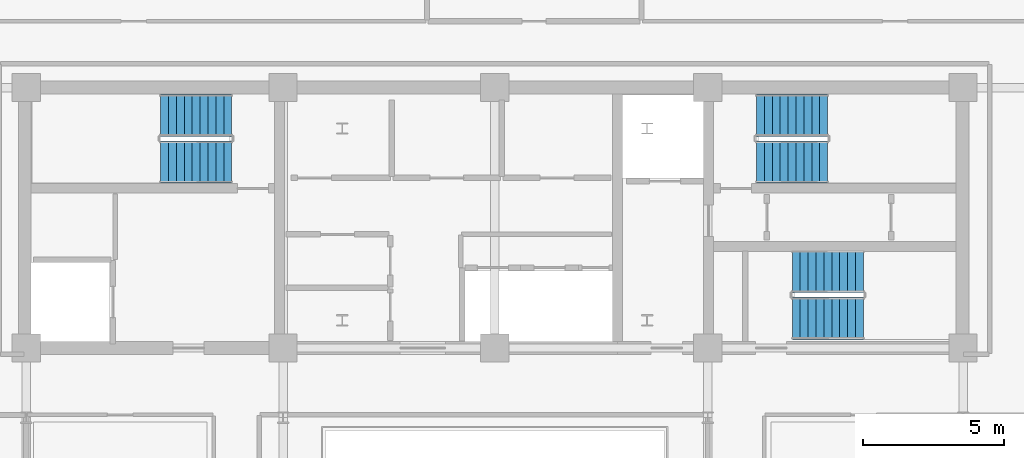
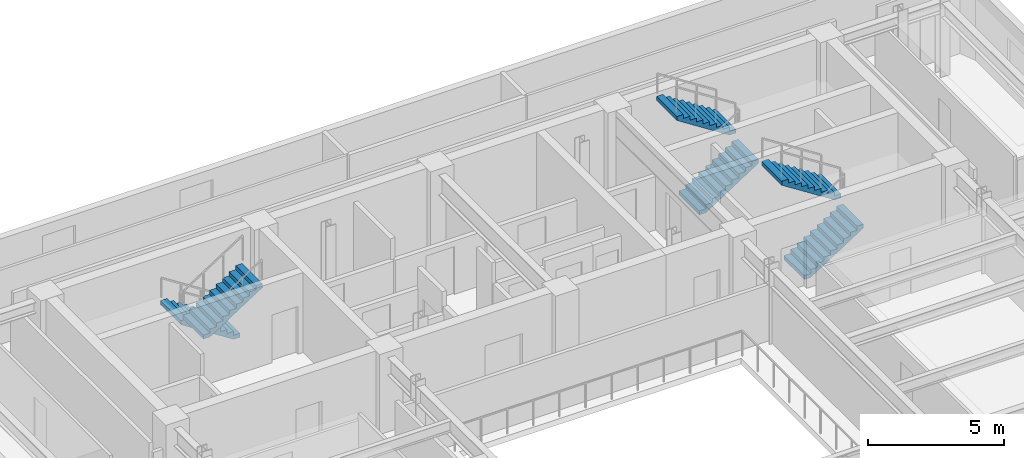
# One storey, part 10 of 14: 6 stair flights, 3 elements without a shape of their own.
"""IFC4 building model written with IfcOpenShell, lengths in metres."""

import ifcopenshell
import ifcopenshell.guid

model = None  # the IFC model being written
_history = None  # IfcOwnerHistory: only IFC2X3 demands one
_inside = {}  # id of a spatial element -> (the spatial element, [elements in it])
_under = {}  # id of a project, library or spatial element -> (it, [spatial elements below it])
_declared = {}  # id of a project -> (the project, [libraries it declares])
_typed = {}  # id of a type object -> (the type object, [elements of that type])
_made_of = {}  # id of a material, layer set ... -> (it, [elements and type objects made of it])


def new_model(schema):
    """Start an empty IFC model of exactly this schema.

    Asked for "IFC4X3", IfcOpenShell would pick the latest addendum, in which some entities
    have other attributes; the version numbers below select the first issue.
    IFC2X3 requires an IfcOwnerHistory on every rooted entity: one is made here for all.
    """
    global model, _history
    if schema == "IFC4X3":
        model = ifcopenshell.file(schema_version=(4, 3, 0, 0))
    else:
        model = ifcopenshell.file(schema=schema)
    _inside.clear()
    _under.clear()
    _declared.clear()
    _typed.clear()
    _made_of.clear()
    _history = None
    if model.schema == "IFC2X3":
        org = make("IfcOrganization", Name="unknown")
        user = make(
            "IfcPersonAndOrganization",
            ThePerson=make("IfcPerson", FamilyName="unknown"),
            TheOrganization=org,
        )
        app = make(
            "IfcApplication",
            ApplicationDeveloper=org,
            Version="unknown",
            ApplicationFullName="unknown",
            ApplicationIdentifier="unknown",
        )
        _history = make(
            "IfcOwnerHistory",
            OwningUser=user,
            OwningApplication=app,
            ChangeAction="ADDED",
            CreationDate=0,
        )
    return model


def make(cls, **values):
    """One entity of the class cls with the attributes given. An attribute that is None is left unset."""
    return model.create_entity(
        cls, **{name: value for name, value in values.items() if value is not None}
    )


def rooted(cls, **values):
    """An entity with a GlobalId (a new one), such as an element, a storey or a relation."""
    return make(cls, GlobalId=ifcopenshell.guid.new(), OwnerHistory=_history, **values)


def si_unit(unit_type, name, prefix=None):
    """IfcSIUnit, for example si_unit("LENGTHUNIT", "METRE", prefix="MILLI")."""
    return make("IfcSIUnit", UnitType=unit_type, Prefix=prefix, Name=name)


def assignment(units):
    """IfcUnitAssignment: the units of a project."""
    return None if units is None else make("IfcUnitAssignment", Units=units)


def point(xyz):
    """IfcCartesianPoint."""
    return None if xyz is None else make("IfcCartesianPoint", Coordinates=xyz)


def direction(xyz):
    """IfcDirection."""
    return None if xyz is None else make("IfcDirection", DirectionRatios=xyz)


def frame(location, z_axis=None, x_axis=None):
    """IfcAxis2Placement3D, a coordinate frame: its origin and axes. An axis left out is left unset."""
    return make(
        "IfcAxis2Placement3D",
        Location=point(location),
        Axis=direction(z_axis),
        RefDirection=direction(x_axis),
    )


def origin():
    """The frame at (0, 0, 0) with its axes left unset."""
    return frame((0.0, 0.0, 0.0))


def place(relative_to, where):
    """IfcLocalPlacement: puts the frame where relative to a parent placement (None: the world)."""
    return make(
        "IfcLocalPlacement", PlacementRelTo=relative_to, RelativePlacement=where
    )


def context(
    kind, dimensions, precision=None, world=None, true_north=None, identifier=None
):
    """IfcGeometricRepresentationContext, for example the 3D "Model" context."""
    return make(
        "IfcGeometricRepresentationContext",
        ContextIdentifier=identifier,
        ContextType=kind,
        CoordinateSpaceDimension=dimensions,
        Precision=precision,
        WorldCoordinateSystem=world,
        TrueNorth=true_north,
    )


def subcontext(parent, identifier, kind, view, scale=None):
    """IfcGeometricRepresentationSubContext, for example "Body" below "Model"."""
    return make(
        "IfcGeometricRepresentationSubContext",
        ContextIdentifier=identifier,
        ContextType=kind,
        ParentContext=parent,
        TargetScale=scale,
        TargetView=view,
    )


def project(units=None, contexts=None):
    """IfcProject with its units and contexts."""
    return rooted(
        "IfcProject",
        Name="project",
        RepresentationContexts=contexts,
        UnitsInContext=assignment(units),
    )


def spatial(cls, under=None, at=None, **own):
    """A site, building, storey or space (cls), placed at a placement, below another one or the project."""
    s = rooted(cls, ObjectPlacement=at, **own)
    if under is not None:
        _under.setdefault(under.id(), (under, []))[1].append(s)
    return s


def polyline(points):
    """IfcPolyline through the points."""
    return make("IfcPolyline", Points=[point(p) for p in points])


def outline(outer, holes=None, kind="AREA"):
    """IfcArbitraryClosedProfileDef: a profile drawn as a closed curve; with holes, ...WithVoids."""
    if holes is None:
        return make("IfcArbitraryClosedProfileDef", ProfileType=kind, OuterCurve=outer)
    return make(
        "IfcArbitraryProfileDefWithVoids",
        ProfileType=kind,
        OuterCurve=outer,
        InnerCurves=holes,
    )


def extrude(swept, where, along, depth):
    """IfcExtrudedAreaSolid: the profile swept, set in the frame where, extruded along a direction by depth."""
    return make(
        "IfcExtrudedAreaSolid",
        SweptArea=swept,
        Position=where,
        ExtrudedDirection=direction(along),
        Depth=depth,
    )


def shape(context_of_items, identifier, shape_type, items):
    """IfcShapeRepresentation: the items that make up one representation, for example the "Body"."""
    return make(
        "IfcShapeRepresentation",
        ContextOfItems=context_of_items,
        RepresentationIdentifier=identifier,
        RepresentationType=shape_type,
        Items=items,
    )


def material(Name=None, Category=None):
    """IfcMaterial."""
    return make("IfcMaterial", Name=Name, Category=Category)


def layer(
    of_material, thickness, ventilated=None, Name=None, Category=None, Priority=None
):
    """IfcMaterialLayer: one layer of a wall or slab, of a material (None: an air gap)."""
    return make(
        "IfcMaterialLayer",
        Material=of_material,
        LayerThickness=thickness,
        IsVentilated=ventilated,
        Name=Name,
        Category=Category,
        Priority=Priority,
    )


def layer_set(layers, Name=None):
    """IfcMaterialLayerSet."""
    return make("IfcMaterialLayerSet", MaterialLayers=layers, LayerSetName=Name)


def made_of(thing, what):
    """Note that an element or type object is made of a material, layer set ...; save() writes the relation."""
    if what is not None:
        _made_of.setdefault(what.id(), (what, []))[1].append(thing)
    return thing


def type_object(cls, material=None, **own):
    """A type object (cls), such as IfcWallType, which elements share."""
    return made_of(rooted(cls, **own), material)


def element(
    cls,
    number,
    at=None,
    inside=None,
    cuts=None,
    type_object=None,
    material=None,
    context=None,
    identifier="Body",
    shape_type=None,
    held_by="IfcProductDefinitionShape",
    body=None,
    shapes=None,
    **own,
):
    """One element of the class cls, such as IfcWall. Its Tag is "e" and its number.

    at: its placement. inside: the storey or other place that contains it. cuts: it is an
    opening in that element (IfcRelVoidsElement). A single representation is given by context,
    identifier, shape_type and body (its items); several are given by shapes. held_by: the class
    of the entity that holds the representations. save() writes the other relations.
    """
    e = rooted(cls, Tag="e%d" % number, ObjectPlacement=at, **own)
    if body is not None:
        shapes = [shape(context, identifier, shape_type, body)]
    if shapes is not None:
        e.Representation = make(held_by, Representations=shapes)
    if inside is not None:
        _inside.setdefault(inside.id(), (inside, []))[1].append(e)
    if cuts is not None:
        rooted(
            "IfcRelVoidsElement", RelatingBuildingElement=cuts, RelatedOpeningElement=e
        )
    if type_object is not None:
        _typed.setdefault(type_object.id(), (type_object, []))[1].append(e)
    return made_of(e, material)


def aggregate(whole, parts):
    """IfcRelAggregates: a whole, such as a stair, and the parts it consists of."""
    return rooted("IfcRelAggregates", RelatingObject=whole, RelatedObjects=parts)


def save(model, path):
    """Write the relations noted so far, then the file.

    IfcRelAggregates (storeys below a building ...), IfcRelContainedInSpatialStructure (elements
    in a storey), IfcRelDefinesByType, IfcRelAssociatesMaterial and IfcRelDeclares: one each for
    every whole, place, type object, material and project.
    """
    for whole, parts in _under.values():
        aggregate(whole, parts)
    for where, things in _inside.values():
        rooted(
            "IfcRelContainedInSpatialStructure",
            RelatedElements=things,
            RelatingStructure=where,
        )
    for kind, things in _typed.values():
        rooted("IfcRelDefinesByType", RelatedObjects=things, RelatingType=kind)
    for what, things in _made_of.values():
        rooted("IfcRelAssociatesMaterial", RelatedObjects=things, RelatingMaterial=what)
    for by, libraries in _declared.values():
        rooted("IfcRelDeclares", RelatingContext=by, RelatedDefinitions=libraries)
    model.write(path)


model = new_model("IFC4")

# Units and contexts
model_context = context("Model", 3, precision=1e-05, world=origin(), true_north=direction((0.0, 1.0)))
body_context = subcontext(model_context, "Body", "Model", "MODEL_VIEW")
ifc_project = project(units=[si_unit("LENGTHUNIT", "METRE"), si_unit("AREAUNIT", "SQUARE_METRE"), si_unit("VOLUMEUNIT", "CUBIC_METRE"), si_unit("PLANEANGLEUNIT", "RADIAN"), si_unit("MASSUNIT", "GRAM", prefix="KILO")], contexts=[model_context])

# Site, building, storey
site_placement = place(None, origin())
site = spatial("IfcSite", under=ifc_project, at=site_placement, CompositionType="ELEMENT")
building_placement = place(site_placement, origin())
building = spatial("IfcBuilding", under=site, at=building_placement, Name="Zarnavel Station Tower", CompositionType="ELEMENT")
storey_placement = place(building_placement, frame((0.0, 0.0, 222.0)))
storey = spatial("IfcBuildingStorey", under=building, at=storey_placement, Name="L60", CompositionType="ELEMENT", Elevation=222.0)

# Stair, stair flights
ifc_material_1 = material(Name="Concrete C45/55", Category="concrete")
stair_type = type_object("IfcStairType", Name="ST_CORE_150", PredefinedType="HALF_TURN_STAIR", material=ifc_material_1)
stair_1_placement = place(storey_placement, origin())
stair_1 = element("IfcStair", 1, at=stair_1_placement, inside=storey, type_object=stair_type, Name="L60 Core Exit Stair ST1", PredefinedType="HALF_TURN_STAIR")
ifc_material_2 = material(Name="Concrete C45/55", Category="concrete")
ifc_layer = layer(ifc_material_2, 0.179931640625)
ifc_layer_set = layer_set([ifc_layer], Name="ST_CORE_150_FLT")
stair_flight_type = type_object("IfcStairFlightType", Name="ST_CORE_150_FLT", PredefinedType="STRAIGHT", material=ifc_layer_set)
stair_flight_1_placement = place(storey_placement, frame((19.47998046875, 36.070068359375, 0.0), z_axis=(0.0, 0.0, 1.0), x_axis=(-1.0, 0.0, 0.0)))
stair_flight_1 = element("IfcStairFlight", 2, at=stair_flight_1_placement, type_object=stair_flight_type, Name="ST1 flight 1", NumberOfRisers=10, NumberOfTreads=9, PredefinedType="STRAIGHT", RiserHeight=0.18, TreadLength=0.28, context=body_context, shape_type="SweptSolid", body=[
    extrude(outline(polyline([(0.0, 0.0), (0.0, 0.179931640625), (0.280029296875, 0.179931640625), (0.280029296875, 0.360107421875), (0.56005859375, 0.360107421875), (0.56005859375, 0.5400390625), (0.840087890625, 0.5400390625), (0.840087890625, 0.719970703125), (1.1201171875, 0.719970703125), (1.1201171875, 0.89990234375), (1.39990234375, 0.89990234375), (1.39990234375, 1.080078125), (1.679931640625, 1.080078125), (1.679931640625, 1.260009765625), (1.9599609375, 1.260009765625), (1.9599609375, 1.43994140625), (2.239990234375, 1.43994140625), (2.239990234375, 1.6201171875), (2.52001953125, 1.6201171875), (2.52001953125, 1.800048828125), (2.52001953125, 1.44189453125), (0.277099609375, 0.0), (0.0, 0.0)])), frame((0.0, 0.75, 0.0), z_axis=(0.0, -1.0, 0.0), x_axis=(1.0, 0.0, 0.0)), (0.0, 0.0, 1.0), 1.5),
])
stair_flight_2_placement = place(storey_placement, frame((16.9599609375, 34.409912109375, 1.800048828125), z_axis=(0.0, 0.0, 1.0), x_axis=(1.0, 0.0, 0.0)))
stair_flight_2 = element("IfcStairFlight", 3, at=stair_flight_2_placement, type_object=stair_flight_type, Name="ST1 flight 2", NumberOfRisers=10, NumberOfTreads=9, PredefinedType="STRAIGHT", RiserHeight=0.18, TreadLength=0.28, context=body_context, shape_type="SweptSolid", body=[
    extrude(outline(polyline([(0.0, 0.0), (0.0, 0.179931640625), (0.280029296875, 0.179931640625), (0.280029296875, 0.360107421875), (0.56005859375, 0.360107421875), (0.56005859375, 0.5400390625), (0.840087890625, 0.5400390625), (0.840087890625, 0.719970703125), (1.1201171875, 0.719970703125), (1.1201171875, 0.89990234375), (1.39990234375, 0.89990234375), (1.39990234375, 1.080078125), (1.679931640625, 1.080078125), (1.679931640625, 1.260009765625), (1.9599609375, 1.260009765625), (1.9599609375, 1.43994140625), (2.239990234375, 1.43994140625), (2.239990234375, 1.6201171875), (2.52001953125, 1.6201171875), (2.52001953125, 1.800048828125), (2.52001953125, 1.44189453125), (0.277099609375, 0.0), (0.0, 0.0)])), frame((0.0, 0.75, 0.0), z_axis=(0.0, -1.0, 0.0), x_axis=(1.0, 0.0, 0.0)), (0.0, 0.0, 1.0), 1.5),
])
aggregate(stair_1, [stair_flight_1, stair_flight_2])

stair_2_placement = place(storey_placement, origin())
stair_2 = element("IfcStair", 4, at=stair_2_placement, inside=storey, type_object=stair_type, Name="L60 Core Exit Stair ST2", PredefinedType="HALF_TURN_STAIR")
stair_flight_3_placement = place(storey_placement, frame((38.080078125, 34.409912109375, 0.0), z_axis=(0.0, 0.0, 1.0), x_axis=(1.0, 0.0, 0.0)))
stair_flight_3 = element("IfcStairFlight", 5, at=stair_flight_3_placement, type_object=stair_flight_type, Name="ST2 flight 1", NumberOfRisers=10, NumberOfTreads=9, PredefinedType="STRAIGHT", RiserHeight=0.18, TreadLength=0.28, context=body_context, shape_type="SweptSolid", body=[
    extrude(outline(polyline([(0.0, 0.0), (0.0, 0.179931640625), (0.280029296875, 0.179931640625), (0.280029296875, 0.360107421875), (0.56005859375, 0.360107421875), (0.56005859375, 0.5400390625), (0.840087890625, 0.5400390625), (0.840087890625, 0.719970703125), (1.1201171875, 0.719970703125), (1.1201171875, 0.89990234375), (1.39990234375, 0.89990234375), (1.39990234375, 1.080078125), (1.679931640625, 1.080078125), (1.679931640625, 1.260009765625), (1.9599609375, 1.260009765625), (1.9599609375, 1.43994140625), (2.239990234375, 1.43994140625), (2.239990234375, 1.6201171875), (2.52001953125, 1.6201171875), (2.52001953125, 1.800048828125), (2.52001953125, 1.44189453125), (0.277099609375, 0.0), (0.0, 0.0)])), frame((0.0, 0.75, 0.0), z_axis=(0.0, -1.0, 0.0), x_axis=(1.0, 0.0, 0.0)), (0.0, 0.0, 1.0), 1.5),
])
stair_flight_4_placement = place(storey_placement, frame((40.60009765625, 36.070068359375, 1.800048828125), z_axis=(0.0, 0.0, 1.0), x_axis=(-1.0, 0.0, 0.0)))
stair_flight_4 = element("IfcStairFlight", 6, at=stair_flight_4_placement, type_object=stair_flight_type, Name="ST2 flight 2", NumberOfRisers=10, NumberOfTreads=9, PredefinedType="STRAIGHT", RiserHeight=0.18, TreadLength=0.28, context=body_context, shape_type="SweptSolid", body=[
    extrude(outline(polyline([(0.0, 0.0), (0.0, 0.179931640625), (0.280029296875, 0.179931640625), (0.280029296875, 0.360107421875), (0.56005859375, 0.360107421875), (0.56005859375, 0.5400390625), (0.840087890625, 0.5400390625), (0.840087890625, 0.719970703125), (1.1201171875, 0.719970703125), (1.1201171875, 0.89990234375), (1.39990234375, 0.89990234375), (1.39990234375, 1.080078125), (1.679931640625, 1.080078125), (1.679931640625, 1.260009765625), (1.9599609375, 1.260009765625), (1.9599609375, 1.43994140625), (2.239990234375, 1.43994140625), (2.239990234375, 1.6201171875), (2.52001953125, 1.6201171875), (2.52001953125, 1.800048828125), (2.52001953125, 1.44189453125), (0.277099609375, 0.0), (0.0, 0.0)])), frame((0.0, 0.75, 0.0), z_axis=(0.0, -1.0, 0.0), x_axis=(1.0, 0.0, 0.0)), (0.0, 0.0, 1.0), 1.5),
])
aggregate(stair_2, [stair_flight_3, stair_flight_4])

stair_3_placement = place(storey_placement, origin())
stair_3 = element("IfcStair", 7, at=stair_3_placement, inside=storey, type_object=stair_type, Name="L60 Core Exit Stair ST3", PredefinedType="HALF_TURN_STAIR")
stair_flight_5_placement = place(storey_placement, frame((39.35009765625, 28.8701171875, 0.0), z_axis=(0.0, 0.0, 1.0), x_axis=(1.0, 0.0, 0.0)))
stair_flight_5 = element("IfcStairFlight", 8, at=stair_flight_5_placement, type_object=stair_flight_type, Name="ST3 flight 1", NumberOfRisers=10, NumberOfTreads=9, PredefinedType="STRAIGHT", RiserHeight=0.18, TreadLength=0.28, context=body_context, shape_type="SweptSolid", body=[
    extrude(outline(polyline([(0.0, 0.0), (0.0, 0.179931640625), (0.280029296875, 0.179931640625), (0.280029296875, 0.360107421875), (0.56005859375, 0.360107421875), (0.56005859375, 0.5400390625), (0.840087890625, 0.5400390625), (0.840087890625, 0.719970703125), (1.1201171875, 0.719970703125), (1.1201171875, 0.89990234375), (1.39990234375, 0.89990234375), (1.39990234375, 1.080078125), (1.679931640625, 1.080078125), (1.679931640625, 1.260009765625), (1.9599609375, 1.260009765625), (1.9599609375, 1.43994140625), (2.239990234375, 1.43994140625), (2.239990234375, 1.6201171875), (2.52001953125, 1.6201171875), (2.52001953125, 1.800048828125), (2.52001953125, 1.44189453125), (0.277099609375, 0.0), (0.0, 0.0)])), frame((0.0, 0.75, 0.0), z_axis=(0.0, -1.0, 0.0), x_axis=(1.0, 0.0, 0.0)), (0.0, 0.0, 1.0), 1.5),
])
stair_flight_6_placement = place(storey_placement, frame((41.8701171875, 30.530029296875, 1.800048828125), z_axis=(0.0, 0.0, 1.0), x_axis=(-1.0, 0.0, 0.0)))
stair_flight_6 = element("IfcStairFlight", 9, at=stair_flight_6_placement, type_object=stair_flight_type, Name="ST3 flight 2", NumberOfRisers=10, NumberOfTreads=9, PredefinedType="STRAIGHT", RiserHeight=0.18, TreadLength=0.28, context=body_context, shape_type="SweptSolid", body=[
    extrude(outline(polyline([(0.0, 0.0), (0.0, 0.179931640625), (0.280029296875, 0.179931640625), (0.280029296875, 0.360107421875), (0.56005859375, 0.360107421875), (0.56005859375, 0.5400390625), (0.840087890625, 0.5400390625), (0.840087890625, 0.719970703125), (1.1201171875, 0.719970703125), (1.1201171875, 0.89990234375), (1.39990234375, 0.89990234375), (1.39990234375, 1.080078125), (1.679931640625, 1.080078125), (1.679931640625, 1.260009765625), (1.9599609375, 1.260009765625), (1.9599609375, 1.43994140625), (2.239990234375, 1.43994140625), (2.239990234375, 1.6201171875), (2.52001953125, 1.6201171875), (2.52001953125, 1.800048828125), (2.52001953125, 1.44189453125), (0.277099609375, 0.0), (0.0, 0.0)])), frame((0.0, 0.75, 0.0), z_axis=(0.0, -1.0, 0.0), x_axis=(1.0, 0.0, 0.0)), (0.0, 0.0, 1.0), 1.5),
])
aggregate(stair_3, [stair_flight_5, stair_flight_6])

save(model, "model.ifc")
